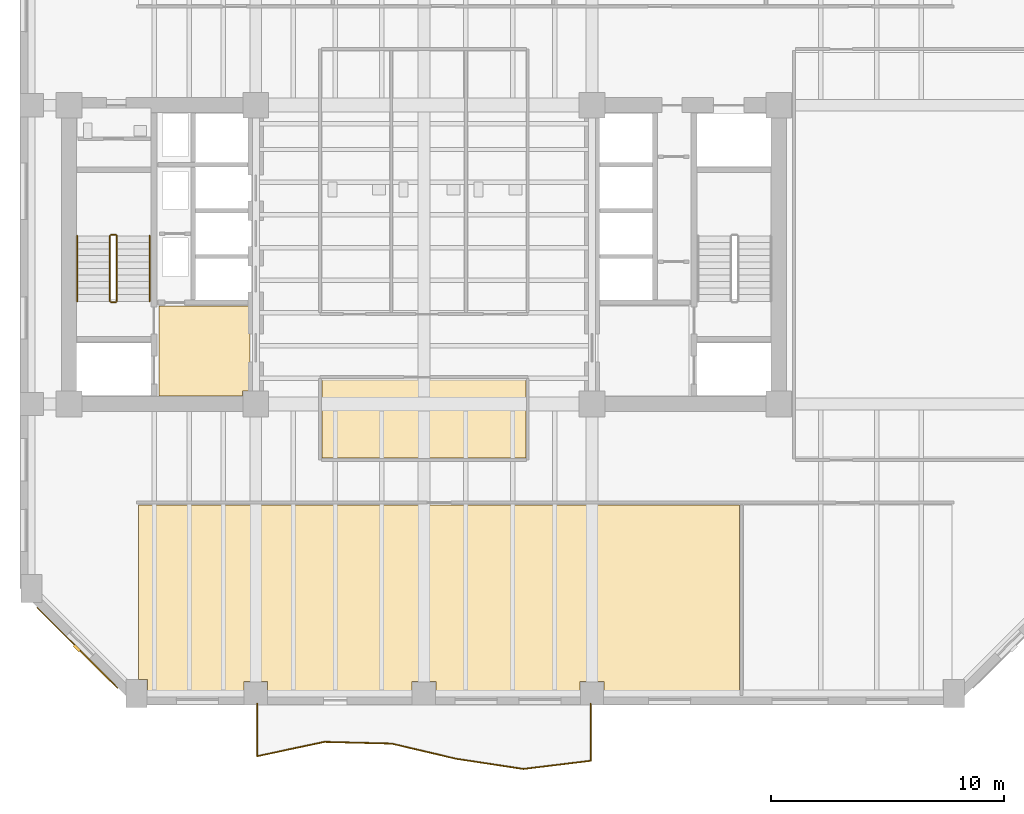
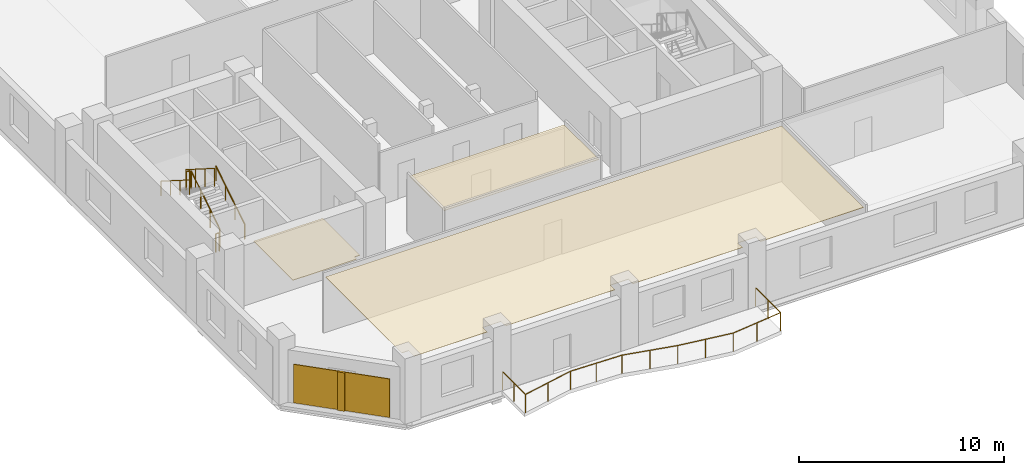
# One storey, part 6 of 9: 7 railings, 4 coverings, 1 shading device.
"""IFC4 building model written with IfcOpenShell, lengths in metres."""

import ifcopenshell
import ifcopenshell.guid

model = None  # the IFC model being written
_history = None  # IfcOwnerHistory: only IFC2X3 demands one
_inside = {}  # id of a spatial element -> (the spatial element, [elements in it])
_under = {}  # id of a project, library or spatial element -> (it, [spatial elements below it])
_declared = {}  # id of a project -> (the project, [libraries it declares])
_typed = {}  # id of a type object -> (the type object, [elements of that type])
_made_of = {}  # id of a material, layer set ... -> (it, [elements and type objects made of it])


def new_model(schema):
    """Start an empty IFC model of exactly this schema.

    Asked for "IFC4X3", IfcOpenShell would pick the latest addendum, in which some entities
    have other attributes; the version numbers below select the first issue.
    IFC2X3 requires an IfcOwnerHistory on every rooted entity: one is made here for all.
    """
    global model, _history
    if schema == "IFC4X3":
        model = ifcopenshell.file(schema_version=(4, 3, 0, 0))
    else:
        model = ifcopenshell.file(schema=schema)
    _inside.clear()
    _under.clear()
    _declared.clear()
    _typed.clear()
    _made_of.clear()
    _history = None
    if model.schema == "IFC2X3":
        org = make("IfcOrganization", Name="unknown")
        user = make(
            "IfcPersonAndOrganization",
            ThePerson=make("IfcPerson", FamilyName="unknown"),
            TheOrganization=org,
        )
        app = make(
            "IfcApplication",
            ApplicationDeveloper=org,
            Version="unknown",
            ApplicationFullName="unknown",
            ApplicationIdentifier="unknown",
        )
        _history = make(
            "IfcOwnerHistory",
            OwningUser=user,
            OwningApplication=app,
            ChangeAction="ADDED",
            CreationDate=0,
        )
    return model


def make(cls, **values):
    """One entity of the class cls with the attributes given. An attribute that is None is left unset."""
    return model.create_entity(
        cls, **{name: value for name, value in values.items() if value is not None}
    )


def rooted(cls, **values):
    """An entity with a GlobalId (a new one), such as an element, a storey or a relation."""
    return make(cls, GlobalId=ifcopenshell.guid.new(), OwnerHistory=_history, **values)


def si_unit(unit_type, name, prefix=None):
    """IfcSIUnit, for example si_unit("LENGTHUNIT", "METRE", prefix="MILLI")."""
    return make("IfcSIUnit", UnitType=unit_type, Prefix=prefix, Name=name)


def assignment(units):
    """IfcUnitAssignment: the units of a project."""
    return None if units is None else make("IfcUnitAssignment", Units=units)


def point(xyz):
    """IfcCartesianPoint."""
    return None if xyz is None else make("IfcCartesianPoint", Coordinates=xyz)


def direction(xyz):
    """IfcDirection."""
    return None if xyz is None else make("IfcDirection", DirectionRatios=xyz)


def frame(location, z_axis=None, x_axis=None):
    """IfcAxis2Placement3D, a coordinate frame: its origin and axes. An axis left out is left unset."""
    return make(
        "IfcAxis2Placement3D",
        Location=point(location),
        Axis=direction(z_axis),
        RefDirection=direction(x_axis),
    )


def frame_2d(location, x_axis=None):
    """IfcAxis2Placement2D, a coordinate frame in the plane: its origin and x axis."""
    return make(
        "IfcAxis2Placement2D", Location=point(location), RefDirection=direction(x_axis)
    )


def origin():
    """The frame at (0, 0, 0) with its axes left unset."""
    return frame((0.0, 0.0, 0.0))


def origin_2d():
    """The frame at (0, 0) in the plane with its x axis left unset."""
    return frame_2d((0.0, 0.0))


def place(relative_to, where):
    """IfcLocalPlacement: puts the frame where relative to a parent placement (None: the world)."""
    return make(
        "IfcLocalPlacement", PlacementRelTo=relative_to, RelativePlacement=where
    )


def context(
    kind, dimensions, precision=None, world=None, true_north=None, identifier=None
):
    """IfcGeometricRepresentationContext, for example the 3D "Model" context."""
    return make(
        "IfcGeometricRepresentationContext",
        ContextIdentifier=identifier,
        ContextType=kind,
        CoordinateSpaceDimension=dimensions,
        Precision=precision,
        WorldCoordinateSystem=world,
        TrueNorth=true_north,
    )


def subcontext(parent, identifier, kind, view, scale=None):
    """IfcGeometricRepresentationSubContext, for example "Body" below "Model"."""
    return make(
        "IfcGeometricRepresentationSubContext",
        ContextIdentifier=identifier,
        ContextType=kind,
        ParentContext=parent,
        TargetScale=scale,
        TargetView=view,
    )


def project(units=None, contexts=None):
    """IfcProject with its units and contexts."""
    return rooted(
        "IfcProject",
        Name="project",
        RepresentationContexts=contexts,
        UnitsInContext=assignment(units),
    )


def spatial(cls, under=None, at=None, **own):
    """A site, building, storey or space (cls), placed at a placement, below another one or the project."""
    s = rooted(cls, ObjectPlacement=at, **own)
    if under is not None:
        _under.setdefault(under.id(), (under, []))[1].append(s)
    return s


def polyline(points):
    """IfcPolyline through the points."""
    return make("IfcPolyline", Points=[point(p) for p in points])


def profile(cls, at=None, kind="AREA", **sizes):
    """A parametric profile (cls). Its sizes go by their IFC names, for example OverallWidth=200.0."""
    return make(cls, ProfileType=kind, Position=at, **sizes)


def rectangle(**sizes):
    """IfcRectangleProfileDef."""
    return profile("IfcRectangleProfileDef", **sizes)


def circle(**sizes):
    """IfcCircleProfileDef."""
    return profile("IfcCircleProfileDef", **sizes)


def outline(outer, holes=None, kind="AREA"):
    """IfcArbitraryClosedProfileDef: a profile drawn as a closed curve; with holes, ...WithVoids."""
    if holes is None:
        return make("IfcArbitraryClosedProfileDef", ProfileType=kind, OuterCurve=outer)
    return make(
        "IfcArbitraryProfileDefWithVoids",
        ProfileType=kind,
        OuterCurve=outer,
        InnerCurves=holes,
    )


def extrude(swept, where, along, depth):
    """IfcExtrudedAreaSolid: the profile swept, set in the frame where, extruded along a direction by depth."""
    return make(
        "IfcExtrudedAreaSolid",
        SweptArea=swept,
        Position=where,
        ExtrudedDirection=direction(along),
        Depth=depth,
    )


def shape(context_of_items, identifier, shape_type, items):
    """IfcShapeRepresentation: the items that make up one representation, for example the "Body"."""
    return make(
        "IfcShapeRepresentation",
        ContextOfItems=context_of_items,
        RepresentationIdentifier=identifier,
        RepresentationType=shape_type,
        Items=items,
    )


def material(Name=None, Category=None):
    """IfcMaterial."""
    return make("IfcMaterial", Name=Name, Category=Category)


def layer(
    of_material, thickness, ventilated=None, Name=None, Category=None, Priority=None
):
    """IfcMaterialLayer: one layer of a wall or slab, of a material (None: an air gap)."""
    return make(
        "IfcMaterialLayer",
        Material=of_material,
        LayerThickness=thickness,
        IsVentilated=ventilated,
        Name=Name,
        Category=Category,
        Priority=Priority,
    )


def layer_set(layers, Name=None):
    """IfcMaterialLayerSet."""
    return make("IfcMaterialLayerSet", MaterialLayers=layers, LayerSetName=Name)


def made_of(thing, what):
    """Note that an element or type object is made of a material, layer set ...; save() writes the relation."""
    if what is not None:
        _made_of.setdefault(what.id(), (what, []))[1].append(thing)
    return thing


def type_object(cls, material=None, **own):
    """A type object (cls), such as IfcWallType, which elements share."""
    return made_of(rooted(cls, **own), material)


def element(
    cls,
    number,
    at=None,
    inside=None,
    cuts=None,
    type_object=None,
    material=None,
    context=None,
    identifier="Body",
    shape_type=None,
    held_by="IfcProductDefinitionShape",
    body=None,
    shapes=None,
    **own,
):
    """One element of the class cls, such as IfcWall. Its Tag is "e" and its number.

    at: its placement. inside: the storey or other place that contains it. cuts: it is an
    opening in that element (IfcRelVoidsElement). A single representation is given by context,
    identifier, shape_type and body (its items); several are given by shapes. held_by: the class
    of the entity that holds the representations. save() writes the other relations.
    """
    e = rooted(cls, Tag="e%d" % number, ObjectPlacement=at, **own)
    if body is not None:
        shapes = [shape(context, identifier, shape_type, body)]
    if shapes is not None:
        e.Representation = make(held_by, Representations=shapes)
    if inside is not None:
        _inside.setdefault(inside.id(), (inside, []))[1].append(e)
    if cuts is not None:
        rooted(
            "IfcRelVoidsElement", RelatingBuildingElement=cuts, RelatedOpeningElement=e
        )
    if type_object is not None:
        _typed.setdefault(type_object.id(), (type_object, []))[1].append(e)
    return made_of(e, material)


def aggregate(whole, parts):
    """IfcRelAggregates: a whole, such as a stair, and the parts it consists of."""
    return rooted("IfcRelAggregates", RelatingObject=whole, RelatedObjects=parts)


def save(model, path):
    """Write the relations noted so far, then the file.

    IfcRelAggregates (storeys below a building ...), IfcRelContainedInSpatialStructure (elements
    in a storey), IfcRelDefinesByType, IfcRelAssociatesMaterial and IfcRelDeclares: one each for
    every whole, place, type object, material and project.
    """
    for whole, parts in _under.values():
        aggregate(whole, parts)
    for where, things in _inside.values():
        rooted(
            "IfcRelContainedInSpatialStructure",
            RelatedElements=things,
            RelatingStructure=where,
        )
    for kind, things in _typed.values():
        rooted("IfcRelDefinesByType", RelatedObjects=things, RelatingType=kind)
    for what, things in _made_of.values():
        rooted("IfcRelAssociatesMaterial", RelatedObjects=things, RelatingMaterial=what)
    for by, libraries in _declared.values():
        rooted("IfcRelDeclares", RelatingContext=by, RelatedDefinitions=libraries)
    model.write(path)


model = new_model("IFC4")

# Units and contexts
model_context = context("Model", 3, precision=1e-05, world=origin(), true_north=direction((0.0, 1.0)))
body_context = subcontext(model_context, "Body", "Model", "MODEL_VIEW")
ifc_project = project(units=[si_unit("LENGTHUNIT", "METRE"), si_unit("AREAUNIT", "SQUARE_METRE"), si_unit("VOLUMEUNIT", "CUBIC_METRE"), si_unit("PLANEANGLEUNIT", "RADIAN"), si_unit("MASSUNIT", "GRAM", prefix="KILO")], contexts=[model_context])

# Site, building, storey
site_placement = place(None, origin())
site = spatial("IfcSite", under=ifc_project, at=site_placement, CompositionType="ELEMENT")
building_placement = place(site_placement, origin())
building = spatial("IfcBuilding", under=site, at=building_placement, Name="Kranthara Brick Stack", CompositionType="ELEMENT")
storey_placement = place(building_placement, frame((0.0, 0.0, 78.89990234375)))
storey = spatial("IfcBuildingStorey", under=building, at=storey_placement, Name="L19", CompositionType="ELEMENT", Elevation=78.89990234375)

# Coverings
ifc_material_1 = material(Name="Perforated mineral-fibre acoustic ceiling tile", Category="other")
ifc_layer_1 = layer(ifc_material_1, 0.02490234375)
ifc_layer_set_1 = layer_set([ifc_layer_1], Name="Perforated mineral-fibre acoustic ceiling tile")
covering_type_1 = type_object("IfcCoveringType", Name="COV-CEIL-ACOUSTIC", PredefinedType="CEILING", material=ifc_layer_set_1)
covering_1_placement = place(storey_placement, frame((0.0, 0.0, 3.330078125)))
element("IfcCovering", 1, at=covering_1_placement, inside=storey, type_object=covering_type_1, Name="L19 L19 Central Executive Briefing Room Acoustic Ceiling", PredefinedType="CEILING", context=body_context, shape_type="SweptSolid", body=[
    extrude(outline(polyline([(32.3701171875, 18.47998046875), (32.3701171875, 21.8798828125), (23.6298828125, 21.8798828125), (23.6298828125, 18.47998046875), (32.3701171875, 18.47998046875)])), origin(), (0.0, 0.0, 1.0), 0.02490234375),
])
covering_2_placement = place(storey_placement, frame((0.0, 0.0, 3.330078125)))
element("IfcCovering", 2, at=covering_2_placement, inside=storey, type_object=covering_type_1, Name="L19 L19 Open Plan Workspace 1 Acoustic Ceiling", PredefinedType="CEILING", context=body_context, shape_type="SweptSolid", body=[
    extrude(outline(polyline([(35.7099609375, 8.469970703125), (35.7099609375, 8.909912109375), (34.68994140625, 8.909912109375), (34.68994140625, 8.469970703125), (28.510009765625, 8.469970703125), (28.510009765625, 8.909912109375), (27.489990234375, 8.909912109375), (27.489990234375, 8.469970703125), (21.31005859375, 8.469970703125), (21.31005859375, 8.909912109375), (20.2900390625, 8.909912109375), (20.2900390625, 8.469970703125), (16.159912109375, 8.469970703125), (16.159912109375, 9.010009765625), (15.780029296875, 9.010009765625), (15.780029296875, 16.47998046875), (41.52001953125, 16.47998046875), (41.52001953125, 8.469970703125), (35.7099609375, 8.469970703125)])), origin(), (0.0, 0.0, 1.0), 0.02490234375),
])
ifc_material_2 = material(Name="Warm buff kiln-fired brick slip rainscreen", Category="masonry")
ifc_layer_2 = layer(ifc_material_2, 0.044921875)
ifc_layer_set_2 = layer_set([ifc_layer_2], Name="Warm buff kiln-fired brick slip rainscreen")
covering_type_2 = type_object("IfcCoveringType", Name="COV-CLAD-BRICK", PredefinedType="CLADDING", material=ifc_layer_set_2)
covering_3_placement = place(storey_placement, frame((13.156494140625, 10.3564453125, 0.05029296875), z_axis=(0.0, 0.0, 1.0), x_axis=(-0.707106781187, 0.707106781187, 0.0)))
element("IfcCovering", 3, at=covering_3_placement, inside=storey, type_object=covering_type_2, Name="L19 Chamfer Brick Rainscreen Cladding SW", PredefinedType="CLADDING", context=body_context, shape_type="SweptSolid", body=[
    extrude(rectangle(XDim=4.876953125, YDim=0.044921875, at=origin_2d()), origin(), (0.0, 0.0, 1.0), 2.300048828125),
])
ifc_material_3 = material(Name="Honed terrazzo and porcelain floor finish", Category="stone")
ifc_layer_3 = layer(ifc_material_3, 0.030029296875)
ifc_layer_set_3 = layer_set([ifc_layer_3], Name="Honed terrazzo and porcelain floor finish")
covering_type_3 = type_object("IfcCoveringType", Name="COV-FLOR-STONE", PredefinedType="FLOORING", material=ifc_layer_set_3)
covering_4_placement = place(storey_placement, origin())
element("IfcCovering", 4, at=covering_4_placement, inside=storey, type_object=covering_type_3, Name="L19 Lift Lobby Stone Flooring", PredefinedType="FLOORING", context=body_context, shape_type="SweptSolid", body=[
    extrude(outline(polyline([(16.64990234375, 21.14990234375), (16.64990234375, 25.0), (20.550048828125, 25.0), (20.550048828125, 21.360107421875), (20.239990234375, 21.360107421875), (20.239990234375, 21.14990234375), (16.64990234375, 21.14990234375)])), origin(), (0.0, 0.0, 1.0), 0.030029296875),
])

# Railings
ifc_material_4 = material(Name="Bronze anodised aluminium and laminated glass balustrade", Category="aluminium")
railing_type_1 = type_object("IfcRailingType", Name="RL-BALC-1120", PredefinedType="BALUSTRADE", material=ifc_material_4)
railing_1_placement = place(storey_placement, frame((35.139892578125, 7.9599609375, 0.0)))
element("IfcRailing", 5, at=railing_1_placement, inside=storey, type_object=railing_type_1, Name="L19 South Rippling Balcony Balustrade", PredefinedType="BALUSTRADE", context=body_context, shape_type="SweptSolid", body=[
    extrude(circle(Radius=0.02392578125, at=origin_2d()), frame((0.0, 0.0, 1.09619140625), z_axis=(0.000199940014, -0.999999980012, 0.0), x_axis=(0.999999980012, 0.000199940014, 0.0)), (0.0, 0.0, 1.0), 2.442138671875),
    extrude(circle(Radius=0.02392578125, at=origin_2d()), frame((0.00048828125, -2.442138671875, 1.09619140625), z_axis=(-0.99262365311, -0.121236476716, 0.0), x_axis=(0.121236476716, -0.99262365311, 0.0)), (0.0, 0.0, 1.0), 2.89990234375),
    extrude(circle(Radius=0.02392578125, at=origin_2d()), frame((-2.8779296875, -2.793701171875, 1.09619140625), z_axis=(-0.988711736474, 0.14983024447, 0.0), x_axis=(-0.14983024447, -0.988711736474, 0.0)), (0.0, 0.0, 1.0), 2.908447265625),
    extrude(circle(Radius=0.02392578125, at=origin_2d()), frame((-5.753662109375, -2.35791015625, 1.09619140625), z_axis=(-0.973453213745, 0.228886086621, 0.0), x_axis=(-0.228886086621, -0.973453213745, 0.0)), (0.0, 0.0, 1.0), 2.841552734375),
    extrude(circle(Radius=0.02392578125, at=origin_2d()), frame((-8.519775390625, -1.70751953125, 1.09619140625), z_axis=(-0.999661558915, 0.02601475787, 0.0), x_axis=(-0.02601475787, -0.999661558915, 0.0)), (0.0, 0.0, 1.0), 2.881103515625),
    extrude(circle(Radius=0.02392578125, at=origin_2d()), frame((-11.39990234375, -1.632568359375, 1.09619140625), z_axis=(-0.978105928985, -0.208107644465, 0.0), x_axis=(0.208107644465, -0.978105928985, 0.0)), (0.0, 0.0, 1.0), 2.944580078125),
    extrude(circle(Radius=0.02392578125, at=origin_2d()), frame((-14.280029296875, -2.245361328125, 1.09619140625), z_axis=(0.000108731107, 0.999999994089, 0.0), x_axis=(-0.999999994089, 0.000108731107, 0.0)), (0.0, 0.0, 1.0), 2.245361328125),
    extrude(circle(Radius=0.02099609375, at=origin_2d()), origin(), (0.0, 0.0, 1.0), 1.072021484375),
    extrude(circle(Radius=0.02099609375, at=origin_2d()), frame((0.000244140625, -1.22119140625, 0.0)), (0.0, 0.0, 1.0), 1.072021484375),
    extrude(circle(Radius=0.02099609375, at=origin_2d()), frame((0.00048828125, -2.442138671875, 0.0)), (0.0, 0.0, 1.0), 1.072021484375),
    extrude(circle(Radius=0.02099609375, at=origin_2d()), frame((-1.438720703125, -2.617919921875, 0.0)), (0.0, 0.0, 1.0), 1.072021484375),
    extrude(circle(Radius=0.02099609375, at=origin_2d()), frame((-2.8779296875, -2.793701171875, 0.0)), (0.0, 0.0, 1.0), 1.072021484375),
    extrude(circle(Radius=0.02099609375, at=origin_2d()), frame((-4.31591796875, -2.57568359375, 0.0)), (0.0, 0.0, 1.0), 1.072021484375),
    extrude(circle(Radius=0.02099609375, at=origin_2d()), frame((-5.753662109375, -2.35791015625, 0.0)), (0.0, 0.0, 1.0), 1.072021484375),
    extrude(circle(Radius=0.02099609375, at=origin_2d()), frame((-7.13671875, -2.03271484375, 0.0)), (0.0, 0.0, 1.0), 1.072021484375),
    extrude(circle(Radius=0.02099609375, at=origin_2d()), frame((-8.519775390625, -1.70751953125, 0.0)), (0.0, 0.0, 1.0), 1.072021484375),
    extrude(circle(Radius=0.02099609375, at=origin_2d()), frame((-9.9599609375, -1.669921875, 0.0)), (0.0, 0.0, 1.0), 1.072021484375),
    extrude(circle(Radius=0.02099609375, at=origin_2d()), frame((-11.39990234375, -1.632568359375, 0.0)), (0.0, 0.0, 1.0), 1.072021484375),
    extrude(circle(Radius=0.02099609375, at=origin_2d()), frame((-12.83984375, -1.93896484375, 0.0)), (0.0, 0.0, 1.0), 1.072021484375),
    extrude(circle(Radius=0.02099609375, at=origin_2d()), frame((-14.280029296875, -2.245361328125, 0.0)), (0.0, 0.0, 1.0), 1.072021484375),
    extrude(circle(Radius=0.02099609375, at=origin_2d()), frame((-14.27978515625, -1.12255859375, 0.0)), (0.0, 0.0, 1.0), 1.072021484375),
    extrude(circle(Radius=0.02099609375, at=origin_2d()), frame((-14.27978515625, 0.0, 0.0)), (0.0, 0.0, 1.0), 1.072021484375),
])
ifc_material_5 = material(Name="Painted galvanized steel stair guardrail", Category="steel")
railing_type_2 = type_object("IfcRailingType", Name="RL-STAIR-GUARD-1100", PredefinedType="GUARDRAIL", material=ifc_material_5)
railing_2_placement = place(storey_placement, frame((14.85009765625, 25.199951171875, 0.177490234375)))
element("IfcRailing", 6, at=railing_2_placement, inside=storey, type_object=railing_type_2, Name="L19 ST01 stair guard 1", PredefinedType="GUARDRAIL", context=body_context, shape_type="SweptSolid", body=[
    extrude(circle(Radius=0.02392578125, at=origin_2d()), frame((0.0, 0.0, 1.076171875), z_axis=(0.0, 0.844908973607, 0.534910110503), x_axis=(-1.0, 0.0, 0.0)), (0.0, 0.0, 1.0), 3.31396484375),
    extrude(circle(Radius=0.02099609375, at=origin_2d()), origin(), (0.0, 0.0, 1.0), 1.052001953125),
    extrude(circle(Radius=0.02099609375, at=origin_2d()), frame((0.0, 0.933349609375, 0.5908203125)), (0.0, 0.0, 1.0), 1.052001953125),
    extrude(circle(Radius=0.02099609375, at=origin_2d()), frame((0.0, 1.86669921875, 1.181884765625)), (0.0, 0.0, 1.0), 1.052001953125),
    extrude(circle(Radius=0.02099609375, at=origin_2d()), frame((0.0, 2.800048828125, 1.772705078125)), (0.0, 0.0, 1.0), 1.052001953125),
])
railing_3_placement = place(storey_placement, frame((14.800048828125, 28.050048828125, 1.9501953125)))
element("IfcRailing", 7, at=railing_3_placement, inside=storey, type_object=railing_type_2, Name="L19 ST01 stair guard 2", PredefinedType="GUARDRAIL", context=body_context, shape_type="SweptSolid", body=[
    extrude(circle(Radius=0.02392578125, at=origin_2d()), frame((0.0, 0.0, 1.076171875), z_axis=(-1.0, 0.0, 0.0), x_axis=(0.0, -1.0, 0.0)), (0.0, 0.0, 1.0), 0.199951171875),
    extrude(circle(Radius=0.02099609375, at=origin_2d()), origin(), (0.0, 0.0, 1.0), 1.052001953125),
    extrude(circle(Radius=0.02099609375, at=origin_2d()), frame((-0.199951171875, 0.0, 0.0)), (0.0, 0.0, 1.0), 1.052001953125),
])
railing_4_placement = place(storey_placement, frame((14.550048828125, 28.0, 2.12744140625)))
element("IfcRailing", 8, at=railing_4_placement, inside=storey, type_object=railing_type_2, Name="L19 ST01 stair guard 3", PredefinedType="GUARDRAIL", context=body_context, shape_type="SweptSolid", body=[
    extrude(circle(Radius=0.02392578125, at=origin_2d()), frame((0.0, 0.0, 1.076171875), z_axis=(0.0, -0.844908973607, 0.534910110503), x_axis=(1.0, 0.0, 0.0)), (0.0, 0.0, 1.0), 3.31396484375),
    extrude(circle(Radius=0.02099609375, at=origin_2d()), origin(), (0.0, 0.0, 1.0), 1.052001953125),
    extrude(circle(Radius=0.02099609375, at=origin_2d()), frame((0.0, -0.933349609375, 0.5908203125)), (0.0, 0.0, 1.0), 1.052001953125),
    extrude(circle(Radius=0.02099609375, at=origin_2d()), frame((0.0, -1.86669921875, 1.181884765625)), (0.0, 0.0, 1.0), 1.052001953125),
    extrude(circle(Radius=0.02099609375, at=origin_2d()), frame((0.0, -2.800048828125, 1.772705078125)), (0.0, 0.0, 1.0), 1.052001953125),
])
railing_5_placement = place(storey_placement, frame((14.800048828125, 25.14990234375, 0.0)))
element("IfcRailing", 9, at=railing_5_placement, inside=storey, type_object=railing_type_2, Name="L19 ST01 stair guard 4", PredefinedType="GUARDRAIL", context=body_context, shape_type="SweptSolid", body=[
    extrude(circle(Radius=0.02392578125, at=origin_2d()), frame((0.0, 0.0, 1.076171875), z_axis=(-1.0, 0.0, 0.0), x_axis=(0.0, -1.0, 0.0)), (0.0, 0.0, 1.0), 0.199951171875),
    extrude(circle(Radius=0.02099609375, at=origin_2d()), origin(), (0.0, 0.0, 1.0), 1.052001953125),
    extrude(circle(Radius=0.02099609375, at=origin_2d()), frame((-0.199951171875, 0.0, 0.0)), (0.0, 0.0, 1.0), 1.052001953125),
])
ifc_material_6 = material(Name="Brushed stainless steel tubular handrail", Category="steel")
railing_type_3 = type_object("IfcRailingType", Name="RL-STAIR-HAND-900", PredefinedType="HANDRAIL", material=ifc_material_6)
railing_6_placement = place(storey_placement, frame((16.25, 25.199951171875, 0.177490234375)))
element("IfcRailing", 10, at=railing_6_placement, inside=storey, type_object=railing_type_3, Name="L19 ST01 stair handrail 1", PredefinedType="HANDRAIL", context=body_context, shape_type="SweptSolid", body=[
    extrude(circle(Radius=0.02392578125, at=origin_2d()), frame((0.0, 0.0, 0.8759765625), z_axis=(0.0, 0.844908973607, 0.534910110503), x_axis=(-1.0, 0.0, 0.0)), (0.0, 0.0, 1.0), 3.31396484375),
    extrude(circle(Radius=0.02099609375, at=origin_2d()), origin(), (0.0, 0.0, 1.0), 0.851806640625),
    extrude(circle(Radius=0.02099609375, at=origin_2d()), frame((0.0, 0.933349609375, 0.5908203125)), (0.0, 0.0, 1.0), 0.851806640625),
    extrude(circle(Radius=0.02099609375, at=origin_2d()), frame((0.0, 1.86669921875, 1.181884765625)), (0.0, 0.0, 1.0), 0.851806640625),
    extrude(circle(Radius=0.02099609375, at=origin_2d()), frame((0.0, 2.800048828125, 1.772705078125)), (0.0, 0.0, 1.0), 0.851806640625),
])
railing_7_placement = place(storey_placement, frame((13.14990234375, 28.0, 2.12744140625)))
element("IfcRailing", 11, at=railing_7_placement, inside=storey, type_object=railing_type_3, Name="L19 ST01 stair handrail 2", PredefinedType="HANDRAIL", context=body_context, shape_type="SweptSolid", body=[
    extrude(circle(Radius=0.02392578125, at=origin_2d()), frame((0.0, 0.0, 0.8759765625), z_axis=(0.0, -0.844908973607, 0.534910110503), x_axis=(1.0, 0.0, 0.0)), (0.0, 0.0, 1.0), 3.31396484375),
    extrude(circle(Radius=0.02099609375, at=origin_2d()), origin(), (0.0, 0.0, 1.0), 0.851806640625),
    extrude(circle(Radius=0.02099609375, at=origin_2d()), frame((0.0, -0.933349609375, 0.5908203125)), (0.0, 0.0, 1.0), 0.851806640625),
    extrude(circle(Radius=0.02099609375, at=origin_2d()), frame((0.0, -1.86669921875, 1.181884765625)), (0.0, 0.0, 1.0), 0.851806640625),
    extrude(circle(Radius=0.02099609375, at=origin_2d()), frame((0.0, -2.800048828125, 1.772705078125)), (0.0, 0.0, 1.0), 0.851806640625),
])

# Shading device
ifc_material_7 = material(Name="Kiln-fired terracotta aerodynamic wind fin", Category="masonry")
shading_device_type = type_object("IfcShadingDeviceType", Name="SHD-BAFFLE-CORNER", PredefinedType="SHUTTER", material=ifc_material_7)
shading_device_placement = place(storey_placement, frame((13.13525390625, 10.335205078125, 0.05029296875), z_axis=(0.0, 0.0, 1.0), x_axis=(-0.707106781187, 0.707106781187, 0.0)))
element("IfcShadingDevice", 12, at=shading_device_placement, inside=storey, type_object=shading_device_type, Name="L19 Chamfer Wind-Baffle Fin SW", PredefinedType="SHUTTER", context=body_context, shape_type="SweptSolid", body=[
    extrude(rectangle(XDim=0.35009765625, YDim=0.1201171875, at=origin_2d()), origin(), (0.0, 0.0, 1.0), 2.300048828125),
])

save(model, "model.ifc")
